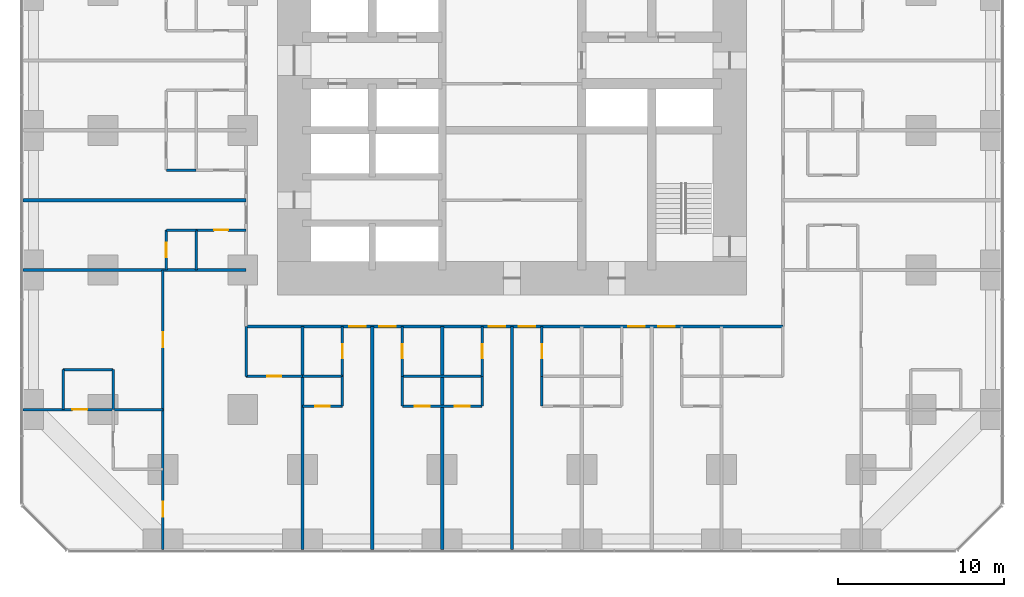
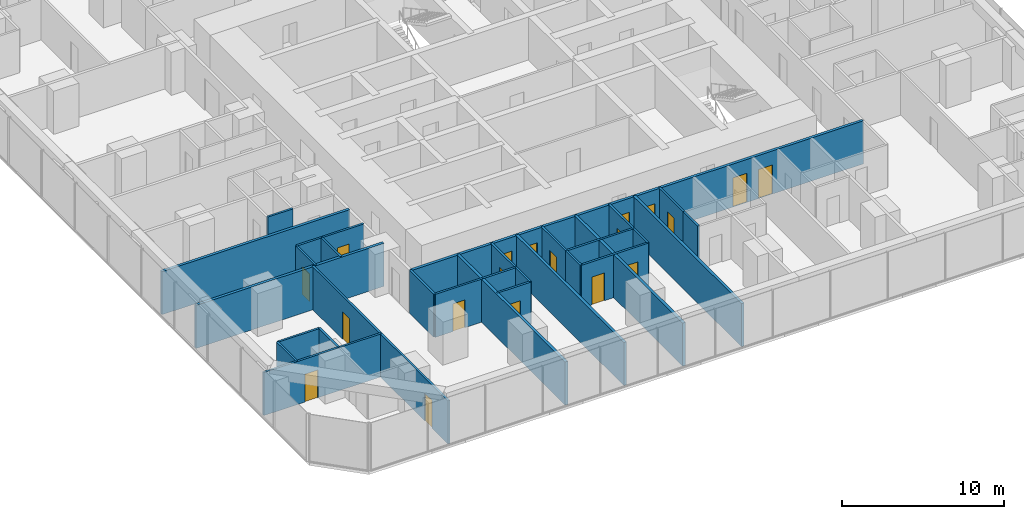
# One storey, part 11 of 18: 31 walls, 19 doors, 19 openings.
"""IFC4 building model written with IfcOpenShell, lengths in metres."""

from ifc_helpers import new_model, si_unit, direction, frame, frame_2d, origin, place, context, subcontext, project, spatial, rectangle, extrude, material, layer, layer_set, type_object, element, fill, save


model = new_model("IFC4")

# Units and contexts
model_context = context("Model", 3, precision=1e-05, world=origin(), true_north=direction((0.0, 1.0)))
body_context = subcontext(model_context, "Body", "Model", "MODEL_VIEW")
ifc_project = project(units=[si_unit("LENGTHUNIT", "METRE"), si_unit("AREAUNIT", "SQUARE_METRE"), si_unit("VOLUMEUNIT", "CUBIC_METRE"), si_unit("PLANEANGLEUNIT", "RADIAN"), si_unit("MASSUNIT", "GRAM", prefix="KILO")], contexts=[model_context])

# Site, building, storey
site_placement = place(None, origin())
site = spatial("IfcSite", under=ifc_project, at=site_placement, CompositionType="ELEMENT")
building_placement = place(site_placement, origin())
building = spatial("IfcBuilding", under=site, at=building_placement, Name="Dunama Terrace Hotel", CompositionType="ELEMENT")
storey_placement = place(building_placement, frame((0.0, 0.0, 27.0)))
storey = spatial("IfcBuildingStorey", under=building, at=storey_placement, Name="L05", CompositionType="ELEMENT", Elevation=27.0)

# Wall
ifc_material_1 = material(Name="Gypsum board partition", Category="masonry")
ifc_layer_1 = layer(ifc_material_1, 0.14990234375)
ifc_layer_set_1 = layer_set([ifc_layer_1], Name="Bathroom partition 150")
wall_type_1 = type_object("IfcWallType", Name="Bathroom partition 150", PredefinedType="PARTITIONING", material=ifc_layer_set_1)
wall_1_placement = place(storey_placement, frame((13.39990234375, 10.39990234375, 0.0), z_axis=(0.0, 0.0, 1.0), x_axis=(0.0, 1.0, 0.0)))
element("IfcWall", 1, at=wall_1_placement, inside=storey, type_object=wall_type_1, Name="Bathroom partition 150 L05", PredefinedType="PARTITIONING", context=body_context, shape_type="SweptSolid", body=[
    extrude(rectangle(XDim=3.0, YDim=0.14990234375, at=frame_2d((1.5, 0.0))), origin(), (0.0, 0.0, 1.0), 3.25),
])

# Wall, opening, door
wall_2_placement = place(storey_placement, frame((19.199951171875, 10.39990234375, 0.0), z_axis=(0.0, 0.0, 1.0), x_axis=(0.0, 1.0, 0.0)))
wall_2 = element("IfcWall", 2, at=wall_2_placement, inside=storey, type_object=wall_type_1, Name="Bathroom partition 150 L05", PredefinedType="PARTITIONING", context=body_context, shape_type="SweptSolid", body=[
    extrude(rectangle(XDim=3.0, YDim=0.14990234375, at=frame_2d((1.5, 0.0))), origin(), (0.0, 0.0, 1.0), 3.25),
])
opening_1_placement = place(wall_2_placement, frame((1.074951171875, 0.0, 0.0)))
opening_1 = element("IfcOpeningElement", 3, at=opening_1_placement, cuts=wall_2, Name="Opening L05-010", PredefinedType="OPENING", context=body_context, shape_type="SweptSolid", body=[
    extrude(rectangle(XDim=0.85009765625, YDim=2.10009765625, at=frame_2d((0.425048828125, 1.050048828125))), frame((0.0, 0.0849609375, 0.0), z_axis=(0.0, -1.0, 0.0), x_axis=(1.0, 0.0, 0.0)), (0.0, 0.0, 1.0), 0.169921875),
])
ifc_material_2 = material(Name="Timber door with steel frame", Category="steel")
door_type_1 = type_object("IfcDoorType", Name="Bathroom door 850", OperationType="SINGLE_SWING_LEFT", PredefinedType="DOOR", material=ifc_material_2)
door_1_placement = place(opening_1_placement, origin())
door_1 = element("IfcDoor", 4, at=door_1_placement, inside=storey, type_object=door_type_1, Name="Door to en-suite bathroom L05-010, type D2", OperationType="SINGLE_SWING_RIGHT", OverallHeight=2.10009765625, OverallWidth=0.85009765625, PredefinedType="DOOR", context=body_context, shape_type="SweptSolid", body=[
    extrude(rectangle(XDim=0.85009765625, YDim=2.10009765625, at=frame_2d((0.425048828125, 1.050048828125))), frame((0.0, 0.02490234375, 0.0), z_axis=(0.0, -1.0, 0.0), x_axis=(1.0, 0.0, 0.0)), (0.0, 0.0, 1.0), 0.050048828125),
])
fill(opening_1, door_1)

wall_3_placement = place(storey_placement, frame((22.800048828125, 10.39990234375, 0.0), z_axis=(0.0, 0.0, 1.0), x_axis=(0.0, 1.0, 0.0)))
wall_3 = element("IfcWall", 5, at=wall_3_placement, inside=storey, type_object=wall_type_1, Name="Bathroom partition 150 L05", PredefinedType="PARTITIONING", context=body_context, shape_type="SweptSolid", body=[
    extrude(rectangle(XDim=3.0, YDim=0.14990234375, at=frame_2d((1.5, 0.0))), origin(), (0.0, 0.0, 1.0), 3.25),
])
opening_2_placement = place(wall_3_placement, frame((1.074951171875, 0.0, 0.0)))
opening_2 = element("IfcOpeningElement", 6, at=opening_2_placement, cuts=wall_3, Name="Opening L05-013", PredefinedType="OPENING", context=body_context, shape_type="SweptSolid", body=[
    extrude(rectangle(XDim=0.85009765625, YDim=2.10009765625, at=frame_2d((0.425048828125, 1.050048828125))), frame((0.0, 0.0849609375, 0.0), z_axis=(0.0, -1.0, 0.0), x_axis=(1.0, 0.0, 0.0)), (0.0, 0.0, 1.0), 0.169921875),
])
door_2_placement = place(opening_2_placement, frame((0.85009765625, 0.0, 0.0), z_axis=(0.0, 0.0, 1.0), x_axis=(-1.0, 0.0, 0.0)))
door_2 = element("IfcDoor", 7, at=door_2_placement, inside=storey, type_object=door_type_1, Name="Door to en-suite bathroom L05-013, type D2", OperationType="SINGLE_SWING_LEFT", OverallHeight=2.10009765625, OverallWidth=0.85009765625, PredefinedType="DOOR", context=body_context, shape_type="SweptSolid", body=[
    extrude(rectangle(XDim=0.85009765625, YDim=2.10009765625, at=frame_2d((0.425048828125, 1.050048828125))), frame((0.0, 0.025146484375, 0.0), z_axis=(0.0, -1.0, 0.0), x_axis=(1.0, 0.0, 0.0)), (0.0, 0.0, 1.0), 0.050048828125),
])
fill(opening_2, door_2)

wall_4_placement = place(storey_placement, frame((27.60009765625, 10.39990234375, 0.0), z_axis=(0.0, 0.0, 1.0), x_axis=(0.0, 1.0, 0.0)))
wall_4 = element("IfcWall", 8, at=wall_4_placement, inside=storey, type_object=wall_type_1, Name="Bathroom partition 150 L05", PredefinedType="PARTITIONING", context=body_context, shape_type="SweptSolid", body=[
    extrude(rectangle(XDim=3.0, YDim=0.14990234375, at=frame_2d((1.5, 0.0))), origin(), (0.0, 0.0, 1.0), 3.25),
])
opening_3_placement = place(wall_4_placement, frame((1.074951171875, 0.0, 0.0)))
opening_3 = element("IfcOpeningElement", 9, at=opening_3_placement, cuts=wall_4, Name="Opening L05-016", PredefinedType="OPENING", context=body_context, shape_type="SweptSolid", body=[
    extrude(rectangle(XDim=0.85009765625, YDim=2.10009765625, at=frame_2d((0.425048828125, 1.050048828125))), frame((0.0, 0.0849609375, 0.0), z_axis=(0.0, -1.0, 0.0), x_axis=(1.0, 0.0, 0.0)), (0.0, 0.0, 1.0), 0.169921875),
])
door_3_placement = place(opening_3_placement, origin())
door_3 = element("IfcDoor", 10, at=door_3_placement, inside=storey, type_object=door_type_1, Name="Door to en-suite bathroom L05-016, type D2", OperationType="SINGLE_SWING_RIGHT", OverallHeight=2.10009765625, OverallWidth=0.85009765625, PredefinedType="DOOR", context=body_context, shape_type="SweptSolid", body=[
    extrude(rectangle(XDim=0.85009765625, YDim=2.10009765625, at=frame_2d((0.425048828125, 1.050048828125))), frame((0.0, 0.02490234375, 0.0), z_axis=(0.0, -1.0, 0.0), x_axis=(1.0, 0.0, 0.0)), (0.0, 0.0, 1.0), 0.050048828125),
])
fill(opening_3, door_3)

wall_5_placement = place(storey_placement, frame((31.199951171875, 10.39990234375, 0.0), z_axis=(0.0, 0.0, 1.0), x_axis=(0.0, 1.0, 0.0)))
wall_5 = element("IfcWall", 11, at=wall_5_placement, inside=storey, type_object=wall_type_1, Name="Bathroom partition 150 L05", PredefinedType="PARTITIONING", context=body_context, shape_type="SweptSolid", body=[
    extrude(rectangle(XDim=3.0, YDim=0.14990234375, at=frame_2d((1.5, 0.0))), origin(), (0.0, 0.0, 1.0), 3.25),
])
opening_4_placement = place(wall_5_placement, frame((1.074951171875, 0.0, 0.0)))
opening_4 = element("IfcOpeningElement", 12, at=opening_4_placement, cuts=wall_5, Name="Opening L05-019", PredefinedType="OPENING", context=body_context, shape_type="SweptSolid", body=[
    extrude(rectangle(XDim=0.85009765625, YDim=2.10009765625, at=frame_2d((0.425048828125, 1.050048828125))), frame((0.0, 0.0849609375, 0.0), z_axis=(0.0, -1.0, 0.0), x_axis=(1.0, 0.0, 0.0)), (0.0, 0.0, 1.0), 0.169921875),
])
door_4_placement = place(opening_4_placement, frame((0.85009765625, 0.0, 0.0), z_axis=(0.0, 0.0, 1.0), x_axis=(-1.0, 0.0, 0.0)))
door_4 = element("IfcDoor", 13, at=door_4_placement, inside=storey, type_object=door_type_1, Name="Door to en-suite bathroom L05-019, type D2", OperationType="SINGLE_SWING_LEFT", OverallHeight=2.10009765625, OverallWidth=0.85009765625, PredefinedType="DOOR", context=body_context, shape_type="SweptSolid", body=[
    extrude(rectangle(XDim=0.85009765625, YDim=2.10009765625, at=frame_2d((0.425048828125, 1.050048828125))), frame((0.0, 0.025146484375, 0.0), z_axis=(0.0, -1.0, 0.0), x_axis=(1.0, 0.0, 0.0)), (0.0, 0.0, 1.0), 0.050048828125),
])
fill(opening_4, door_4)

wall_6_placement = place(storey_placement, frame((13.39990234375, 10.39990234375, 0.0), z_axis=(0.0, 0.0, 1.0), x_axis=(1.0, 0.0, 0.0)))
wall_6 = element("IfcWall", 14, at=wall_6_placement, inside=storey, type_object=wall_type_1, Name="Bathroom partition 150 L05", PredefinedType="PARTITIONING", context=body_context, shape_type="SweptSolid", body=[
    extrude(rectangle(XDim=3.400146484375, YDim=0.14990234375, at=frame_2d((1.7001953125, 0.0))), origin(), (0.0, 0.0, 1.0), 3.25),
])
opening_5_placement = place(wall_6_placement, frame((1.27490234375, 0.0, 0.0)))
opening_5 = element("IfcOpeningElement", 15, at=opening_5_placement, cuts=wall_6, Name="Opening L05-075", PredefinedType="OPENING", context=body_context, shape_type="SweptSolid", body=[
    extrude(rectangle(XDim=0.85009765625, YDim=2.10009765625, at=frame_2d((0.425048828125, 1.050048828125))), frame((0.0, 0.0849609375, 0.0), z_axis=(0.0, -1.0, 0.0), x_axis=(1.0, 0.0, 0.0)), (0.0, 0.0, 1.0), 0.169921875),
])
door_5_placement = place(opening_5_placement, origin())
door_5 = element("IfcDoor", 16, at=door_5_placement, inside=storey, type_object=door_type_1, Name="Door to powder room L05-075, type D2", OperationType="SINGLE_SWING_RIGHT", OverallHeight=2.10009765625, OverallWidth=0.85009765625, PredefinedType="DOOR", context=body_context, shape_type="SweptSolid", body=[
    extrude(rectangle(XDim=0.85009765625, YDim=2.10009765625, at=frame_2d((0.425048828125, 1.050048828125))), frame((0.0, 0.02490234375, 0.0), z_axis=(0.0, -1.0, 0.0), x_axis=(1.0, 0.0, 0.0)), (0.0, 0.0, 1.0), 0.050048828125),
])
fill(opening_5, door_5)

wall_7_placement = place(storey_placement, frame((10.39990234375, 19.199951171875, 0.0), z_axis=(0.0, 0.0, 1.0), x_axis=(1.0, 0.0, 0.0)))
wall_7 = element("IfcWall", 17, at=wall_7_placement, inside=storey, type_object=wall_type_1, Name="Bathroom partition 150 L05", PredefinedType="PARTITIONING", context=body_context, shape_type="SweptSolid", body=[
    extrude(rectangle(XDim=3.0, YDim=0.14990234375, at=frame_2d((1.5, 0.0))), origin(), (0.0, 0.0, 1.0), 3.25),
])
opening_6_placement = place(wall_7_placement, frame((1.074951171875, 0.0, 0.0)))
opening_6 = element("IfcOpeningElement", 18, at=opening_6_placement, cuts=wall_7, Name="Opening L05-062", PredefinedType="OPENING", context=body_context, shape_type="SweptSolid", body=[
    extrude(rectangle(XDim=0.85009765625, YDim=2.10009765625, at=frame_2d((0.425048828125, 1.050048828125))), frame((0.0, 0.0849609375, 0.0), z_axis=(0.0, -1.0, 0.0), x_axis=(1.0, 0.0, 0.0)), (0.0, 0.0, 1.0), 0.169921875),
])
door_6_placement = place(opening_6_placement, frame((0.85009765625, 0.0, 0.0), z_axis=(0.0, 0.0, 1.0), x_axis=(-1.0, 0.0, 0.0)))
door_6 = element("IfcDoor", 19, at=door_6_placement, inside=storey, type_object=door_type_1, Name="Door to en-suite bathroom L05-062, type D2", OperationType="SINGLE_SWING_LEFT", OverallHeight=2.10009765625, OverallWidth=0.85009765625, PredefinedType="DOOR", context=body_context, shape_type="SweptSolid", body=[
    extrude(rectangle(XDim=0.85009765625, YDim=2.10009765625, at=frame_2d((0.425048828125, 1.050048828125))), frame((0.0, 0.025146484375, 0.0), z_axis=(0.0, -1.0, 0.0), x_axis=(1.0, 0.0, 0.0)), (0.0, 0.0, 1.0), 0.050048828125),
])
fill(opening_6, door_6)

# Wall, openings, doors
ifc_material_3 = material(Name="Concrete blockwork", Category="masonry")
ifc_layer_2 = layer(ifc_material_3, 0.199951171875)
ifc_layer_set_2 = layer_set([ifc_layer_2], Name="Corridor partition 200")
wall_type_2 = type_object("IfcWallType", Name="Corridor partition 200", PredefinedType="PARTITIONING", material=ifc_layer_set_2)
wall_8_placement = place(storey_placement, frame((45.699951171875, 13.39990234375, 0.0), z_axis=(0.0, 0.0, 1.0), x_axis=(-1.0, 0.0, 0.0)))
wall_8 = element("IfcWall", 20, at=wall_8_placement, inside=storey, type_object=wall_type_2, Name="Corridor partition 200 L05", PredefinedType="PARTITIONING", context=body_context, shape_type="SweptSolid", body=[
    extrude(rectangle(XDim=32.300048828125, YDim=0.199951171875, at=frame_2d((16.14990234375, 0.0))), origin(), (0.0, 0.0, 1.0), 3.25),
])
opening_7_placement = place(wall_8_placement, frame((25.10009765625, 0.0, 0.0)))
opening_7 = element("IfcOpeningElement", 21, at=opening_7_placement, cuts=wall_8, Name="Opening L05-009", PredefinedType="OPENING", context=body_context, shape_type="SweptSolid", body=[
    extrude(rectangle(XDim=1.0, YDim=2.199951171875, at=frame_2d((0.5, 1.10009765625))), frame((0.0, 0.10986328125, 0.0), z_axis=(0.0, -1.0, 0.0), x_axis=(1.0, 0.0, 0.0)), (0.0, 0.0, 1.0), 0.219970703125),
])
opening_8_placement = place(wall_8_placement, frame((23.300048828125, 0.0, 0.0)))
opening_8 = element("IfcOpeningElement", 22, at=opening_8_placement, cuts=wall_8, Name="Opening L05-012", PredefinedType="OPENING", context=body_context, shape_type="SweptSolid", body=[
    extrude(rectangle(XDim=1.0, YDim=2.199951171875, at=frame_2d((0.5, 1.10009765625))), frame((0.0, 0.10986328125, 0.0), z_axis=(0.0, -1.0, 0.0), x_axis=(1.0, 0.0, 0.0)), (0.0, 0.0, 1.0), 0.219970703125),
])
opening_9_placement = place(wall_8_placement, frame((16.699951171875, 0.0, 0.0)))
opening_9 = element("IfcOpeningElement", 23, at=opening_9_placement, cuts=wall_8, Name="Opening L05-015", PredefinedType="OPENING", context=body_context, shape_type="SweptSolid", body=[
    extrude(rectangle(XDim=1.0, YDim=2.199951171875, at=frame_2d((0.5, 1.10009765625))), frame((0.0, 0.10986328125, 0.0), z_axis=(0.0, -1.0, 0.0), x_axis=(1.0, 0.0, 0.0)), (0.0, 0.0, 1.0), 0.219970703125),
])
opening_10_placement = place(wall_8_placement, frame((14.89990234375, 0.0, 0.0)))
opening_10 = element("IfcOpeningElement", 24, at=opening_10_placement, cuts=wall_8, Name="Opening L05-018", PredefinedType="OPENING", context=body_context, shape_type="SweptSolid", body=[
    extrude(rectangle(XDim=1.0, YDim=2.199951171875, at=frame_2d((0.5, 1.10009765625))), frame((0.0, 0.10986328125, 0.0), z_axis=(0.0, -1.0, 0.0), x_axis=(1.0, 0.0, 0.0)), (0.0, 0.0, 1.0), 0.219970703125),
])
opening_11_placement = place(wall_8_placement, frame((8.300048828125, 0.0, 0.0)))
opening_11 = element("IfcOpeningElement", 25, at=opening_11_placement, cuts=wall_8, Name="Opening L05-021", PredefinedType="OPENING", context=body_context, shape_type="SweptSolid", body=[
    extrude(rectangle(XDim=1.0, YDim=2.199951171875, at=frame_2d((0.5, 1.10009765625))), frame((0.0, 0.10986328125, 0.0), z_axis=(0.0, -1.0, 0.0), x_axis=(1.0, 0.0, 0.0)), (0.0, 0.0, 1.0), 0.219970703125),
])
opening_12_placement = place(wall_8_placement, frame((6.5, 0.0, 0.0)))
opening_12 = element("IfcOpeningElement", 26, at=opening_12_placement, cuts=wall_8, Name="Opening L05-024", PredefinedType="OPENING", context=body_context, shape_type="SweptSolid", body=[
    extrude(rectangle(XDim=1.0, YDim=2.199951171875, at=frame_2d((0.5, 1.10009765625))), frame((0.0, 0.10986328125, 0.0), z_axis=(0.0, -1.0, 0.0), x_axis=(1.0, 0.0, 0.0)), (0.0, 0.0, 1.0), 0.219970703125),
])
ifc_material_4 = material(Name="Timber door with steel frame", Category="steel")
door_type_2 = type_object("IfcDoorType", Name="Guest room door 1000", OperationType="SINGLE_SWING_LEFT", PredefinedType="DOOR", material=ifc_material_4)
door_7_placement = place(opening_7_placement, origin())
door_7 = element("IfcDoor", 27, at=door_7_placement, inside=storey, type_object=door_type_2, Name="Door to deluxe room L05-009, type D1", OperationType="SINGLE_SWING_LEFT", OverallHeight=2.199951171875, OverallWidth=1.0, PredefinedType="DOOR", context=body_context, shape_type="SweptSolid", body=[
    extrude(rectangle(XDim=1.0, YDim=2.199951171875, at=frame_2d((0.5, 1.10009765625))), frame((0.0, 0.02490234375, 0.0), z_axis=(0.0, -1.0, 0.0), x_axis=(1.0, 0.0, 0.0)), (0.0, 0.0, 1.0), 0.050048828125),
])
fill(opening_7, door_7)
door_8_placement = place(opening_8_placement, origin())
door_8 = element("IfcDoor", 28, at=door_8_placement, inside=storey, type_object=door_type_2, Name="Door to deluxe room L05-012, type D1", OperationType="SINGLE_SWING_RIGHT", OverallHeight=2.199951171875, OverallWidth=1.0, PredefinedType="DOOR", context=body_context, shape_type="SweptSolid", body=[
    extrude(rectangle(XDim=1.0, YDim=2.199951171875, at=frame_2d((0.5, 1.10009765625))), frame((0.0, 0.02490234375, 0.0), z_axis=(0.0, -1.0, 0.0), x_axis=(1.0, 0.0, 0.0)), (0.0, 0.0, 1.0), 0.050048828125),
])
fill(opening_8, door_8)
door_9_placement = place(opening_9_placement, origin())
door_9 = element("IfcDoor", 29, at=door_9_placement, inside=storey, type_object=door_type_2, Name="Door to deluxe room L05-015, type D1", OperationType="SINGLE_SWING_LEFT", OverallHeight=2.199951171875, OverallWidth=1.0, PredefinedType="DOOR", context=body_context, shape_type="SweptSolid", body=[
    extrude(rectangle(XDim=1.0, YDim=2.199951171875, at=frame_2d((0.5, 1.10009765625))), frame((0.0, 0.02490234375, 0.0), z_axis=(0.0, -1.0, 0.0), x_axis=(1.0, 0.0, 0.0)), (0.0, 0.0, 1.0), 0.050048828125),
])
fill(opening_9, door_9)
door_10_placement = place(opening_10_placement, origin())
door_10 = element("IfcDoor", 30, at=door_10_placement, inside=storey, type_object=door_type_2, Name="Door to deluxe room L05-018, type D1", OperationType="SINGLE_SWING_RIGHT", OverallHeight=2.199951171875, OverallWidth=1.0, PredefinedType="DOOR", context=body_context, shape_type="SweptSolid", body=[
    extrude(rectangle(XDim=1.0, YDim=2.199951171875, at=frame_2d((0.5, 1.10009765625))), frame((0.0, 0.02490234375, 0.0), z_axis=(0.0, -1.0, 0.0), x_axis=(1.0, 0.0, 0.0)), (0.0, 0.0, 1.0), 0.050048828125),
])
fill(opening_10, door_10)
door_11_placement = place(opening_11_placement, origin())
door_11 = element("IfcDoor", 31, at=door_11_placement, inside=storey, type_object=door_type_2, Name="Door to deluxe room L05-021, type D1", OperationType="SINGLE_SWING_LEFT", OverallHeight=2.199951171875, OverallWidth=1.0, PredefinedType="DOOR", context=body_context, shape_type="SweptSolid", body=[
    extrude(rectangle(XDim=1.0, YDim=2.199951171875, at=frame_2d((0.5, 1.10009765625))), frame((0.0, 0.02490234375, 0.0), z_axis=(0.0, -1.0, 0.0), x_axis=(1.0, 0.0, 0.0)), (0.0, 0.0, 1.0), 0.050048828125),
])
fill(opening_11, door_11)
door_12_placement = place(opening_12_placement, origin())
door_12 = element("IfcDoor", 32, at=door_12_placement, inside=storey, type_object=door_type_2, Name="Door to deluxe room L05-024, type D1", OperationType="SINGLE_SWING_RIGHT", OverallHeight=2.199951171875, OverallWidth=1.0, PredefinedType="DOOR", context=body_context, shape_type="SweptSolid", body=[
    extrude(rectangle(XDim=1.0, YDim=2.199951171875, at=frame_2d((0.5, 1.10009765625))), frame((0.0, 0.02490234375, 0.0), z_axis=(0.0, -1.0, 0.0), x_axis=(1.0, 0.0, 0.0)), (0.0, 0.0, 1.0), 0.050048828125),
])
fill(opening_12, door_12)

# Walls
ifc_material_5 = material(Name="Concrete blockwork", Category="masonry")
ifc_layer_3 = layer(ifc_material_5, 0.199951171875)
ifc_layer_set_3 = layer_set([ifc_layer_3], Name="Party wall 200")
wall_type_3 = type_object("IfcWallType", Name="Party wall 200", PredefinedType="PARTITIONING", material=ifc_layer_set_3)
for number, where, z_axis, x_axis, name in (
    (33, (16.800048828125, -0.008056640625, 0.0), (0.0, 0.0, 1.0), (0.0, 1.0, 0.0), "Party wall 200 L05"),
    (34, (21.0, -0.008056640625, 0.0), (0.0, 0.0, 1.0), (0.0, 1.0, 0.0), "Party wall 200 L05"),
    (35, (25.199951171875, -0.008056640625, 0.0), (0.0, 0.0, 1.0), (0.0, 1.0, 0.0), "Party wall 200 L05"),
    (36, (29.39990234375, -0.008056640625, 0.0), (0.0, 0.0, 1.0), (0.0, 1.0, 0.0), "Party wall 200 L05"),
    (37, (-0.008056640625, 16.800048828125, 0.0), (0.0, 0.0, 1.0), (1.0, 0.0, 0.0), "Party wall 200 L05"),
    (38, (-0.008056640625, 21.0, 0.0), (0.0, 0.0, 1.0), (1.0, 0.0, 0.0), "Party wall 200 L05"),
):
    element("IfcWall", number, at=place(storey_placement, frame(where, z_axis=z_axis, x_axis=x_axis)), inside=storey, type_object=wall_type_3, Name=name, PredefinedType="PARTITIONING", context=body_context, shape_type="SweptSolid", body=[
        extrude(rectangle(XDim=13.407958984375, YDim=0.199951171875, at=frame_2d((6.7041015625, 0.0))), origin(), (0.0, 0.0, 1.0), 3.25),
    ])
ifc_material_6 = material(Name="Gypsum board partition", Category="masonry")
ifc_layer_4 = layer(ifc_material_6, 0.14990234375)
ifc_layer_set_4 = layer_set([ifc_layer_4], Name="Room partition 150")
wall_type_4 = type_object("IfcWallType", Name="Room partition 150", PredefinedType="PARTITIONING", material=ifc_layer_set_4)
for number, where, z_axis, x_axis, name in (
    (39, (2.39990234375, 8.39990234375, 0.0), (0.0, 0.0, 1.0), (0.0, 1.0, 0.0), "Room partition 150 L05"),
    (40, (5.39990234375, 8.39990234375, 0.0), (0.0, 0.0, 1.0), (0.0, 1.0, 0.0), "Room partition 150 L05"),
):
    element("IfcWall", number, at=place(storey_placement, frame(where, z_axis=z_axis, x_axis=x_axis)), inside=storey, type_object=wall_type_4, Name=name, PredefinedType="PARTITIONING", context=body_context, shape_type="SweptSolid", body=[
        extrude(rectangle(XDim=2.400146484375, YDim=0.14990234375, at=frame_2d((1.2001953125, 0.0))), origin(), (0.0, 0.0, 1.0), 3.25),
    ])

# Wall, openings, doors
wall_9_placement = place(storey_placement, frame((8.39990234375, -0.008056640625, 0.0), z_axis=(0.0, 0.0, 1.0), x_axis=(0.0, 1.0, 0.0)))
wall_9 = element("IfcWall", 41, at=wall_9_placement, inside=storey, type_object=wall_type_4, Name="Room partition 150 L05", PredefinedType="PARTITIONING", context=body_context, shape_type="SweptSolid", body=[
    extrude(rectangle(XDim=16.80810546875, YDim=0.14990234375, at=frame_2d((8.404052734375, 0.0))), origin(), (0.0, 0.0, 1.0), 3.25),
])
opening_13_placement = place(wall_9_placement, frame((1.9580078125, 0.0, 0.0)))
opening_13 = element("IfcOpeningElement", 42, at=opening_13_placement, cuts=wall_9, Name="Opening L05-076", PredefinedType="OPENING", context=body_context, shape_type="SweptSolid", body=[
    extrude(rectangle(XDim=0.89990234375, YDim=2.10009765625, at=frame_2d((0.449951171875, 1.050048828125))), frame((0.0, 0.0849609375, 0.0), z_axis=(0.0, -1.0, 0.0), x_axis=(1.0, 0.0, 0.0)), (0.0, 0.0, 1.0), 0.169921875),
])
opening_14_placement = place(wall_9_placement, frame((12.157958984375, 0.0, 0.0)))
opening_14 = element("IfcOpeningElement", 43, at=opening_14_placement, cuts=wall_9, Name="Opening L05-079", PredefinedType="OPENING", context=body_context, shape_type="SweptSolid", body=[
    extrude(rectangle(XDim=0.89990234375, YDim=2.10009765625, at=frame_2d((0.449951171875, 1.050048828125))), frame((0.0, 0.0849609375, 0.0), z_axis=(0.0, -1.0, 0.0), x_axis=(1.0, 0.0, 0.0)), (0.0, 0.0, 1.0), 0.169921875),
])
ifc_material_7 = material(Name="Timber door with steel frame", Category="steel")
door_type_3 = type_object("IfcDoorType", Name="Suite internal door 900", OperationType="SINGLE_SWING_LEFT", PredefinedType="DOOR", material=ifc_material_7)
door_13_placement = place(opening_13_placement, origin())
door_13 = element("IfcDoor", 44, at=door_13_placement, inside=storey, type_object=door_type_3, Name="Door to corner suite bedroom L05-076, type D16", OperationType="SINGLE_SWING_LEFT", OverallHeight=2.10009765625, OverallWidth=0.89990234375, PredefinedType="DOOR", context=body_context, shape_type="SweptSolid", body=[
    extrude(rectangle(XDim=0.89990234375, YDim=2.10009765625, at=frame_2d((0.449951171875, 1.050048828125))), frame((0.0, 0.02490234375, 0.0), z_axis=(0.0, -1.0, 0.0), x_axis=(1.0, 0.0, 0.0)), (0.0, 0.0, 1.0), 0.050048828125),
])
fill(opening_13, door_13)
door_14_placement = place(opening_14_placement, origin())
door_14 = element("IfcDoor", 45, at=door_14_placement, inside=storey, type_object=door_type_3, Name="Door to corner suite study L05-079, type D16", OperationType="SINGLE_SWING_LEFT", OverallHeight=2.10009765625, OverallWidth=0.89990234375, PredefinedType="DOOR", context=body_context, shape_type="SweptSolid", body=[
    extrude(rectangle(XDim=0.89990234375, YDim=2.10009765625, at=frame_2d((0.449951171875, 1.050048828125))), frame((0.0, 0.02490234375, 0.0), z_axis=(0.0, -1.0, 0.0), x_axis=(1.0, 0.0, 0.0)), (0.0, 0.0, 1.0), 0.050048828125),
])
fill(opening_14, door_14)

# Wall, opening, door
wall_10_placement = place(storey_placement, frame((8.60009765625, 16.800048828125, 0.0), z_axis=(0.0, 0.0, 1.0), x_axis=(0.0, 1.0, 0.0)))
wall_10 = element("IfcWall", 46, at=wall_10_placement, inside=storey, type_object=wall_type_4, Name="Room partition 150 L05", PredefinedType="PARTITIONING", context=body_context, shape_type="SweptSolid", body=[
    extrude(rectangle(XDim=2.39990234375, YDim=0.14990234375, at=frame_2d((1.199951171875, 0.0))), origin(), (0.0, 0.0, 1.0), 3.25),
])
opening_15_placement = place(wall_10_placement, frame((0.75, 0.0, 0.0)))
opening_15 = element("IfcOpeningElement", 47, at=opening_15_placement, cuts=wall_10, Name="Opening L05-063", PredefinedType="OPENING", context=body_context, shape_type="SweptSolid", body=[
    extrude(rectangle(XDim=0.89990234375, YDim=2.10009765625, at=frame_2d((0.449951171875, 1.050048828125))), frame((0.0, 0.0849609375, 0.0), z_axis=(0.0, -1.0, 0.0), x_axis=(1.0, 0.0, 0.0)), (0.0, 0.0, 1.0), 0.169921875),
])
door_15_placement = place(opening_15_placement, frame((0.89990234375, 0.0, 0.0), z_axis=(0.0, 0.0, 1.0), x_axis=(-1.0, 0.0, 0.0)))
door_15 = element("IfcDoor", 48, at=door_15_placement, inside=storey, type_object=door_type_3, Name="Door to walk-in wardrobe L05-063, type D16", OperationType="SINGLE_SWING_RIGHT", OverallHeight=2.10009765625, OverallWidth=0.89990234375, PredefinedType="DOOR", context=body_context, shape_type="SweptSolid", body=[
    extrude(rectangle(XDim=0.89990234375, YDim=2.10009765625, at=frame_2d((0.449951171875, 1.050048828125))), frame((0.0, 0.025146484375, 0.0), z_axis=(0.0, -1.0, 0.0), x_axis=(1.0, 0.0, 0.0)), (0.0, 0.0, 1.0), 0.050048828125),
])
fill(opening_15, door_15)

# Walls
wall_11_placement = place(storey_placement, frame((10.39990234375, 16.800048828125, 0.0), z_axis=(0.0, 0.0, 1.0), x_axis=(0.0, 1.0, 0.0)))
element("IfcWall", 49, at=wall_11_placement, inside=storey, type_object=wall_type_4, Name="Room partition 150 L05", PredefinedType="PARTITIONING", context=body_context, shape_type="SweptSolid", body=[
    extrude(rectangle(XDim=2.39990234375, YDim=0.14990234375, at=frame_2d((1.199951171875, 0.0))), origin(), (0.0, 0.0, 1.0), 3.25),
])
for number, where, z_axis, x_axis, name in (
    (50, (19.199951171875, 8.60009765625, 0.0), (0.0, 0.0, 1.0), (0.0, 1.0, 0.0), "Room partition 150 L05"),
    (51, (22.800048828125, 8.60009765625, 0.0), (0.0, 0.0, 1.0), (0.0, 1.0, 0.0), "Room partition 150 L05"),
    (52, (27.60009765625, 8.60009765625, 0.0), (0.0, 0.0, 1.0), (0.0, 1.0, 0.0), "Room partition 150 L05"),
    (53, (31.199951171875, 8.60009765625, 0.0), (0.0, 0.0, 1.0), (0.0, 1.0, 0.0), "Room partition 150 L05"),
):
    element("IfcWall", number, at=place(storey_placement, frame(where, z_axis=z_axis, x_axis=x_axis)), inside=storey, type_object=wall_type_4, Name=name, PredefinedType="PARTITIONING", context=body_context, shape_type="SweptSolid", body=[
        extrude(rectangle(XDim=1.7998046875, YDim=0.14990234375, at=frame_2d((0.89990234375, 0.0))), origin(), (0.0, 0.0, 1.0), 3.25),
    ])

# Wall, opening, door
wall_12_placement = place(storey_placement, frame((-0.008056640625, 8.39990234375, 0.0), z_axis=(0.0, 0.0, 1.0), x_axis=(1.0, 0.0, 0.0)))
wall_12 = element("IfcWall", 54, at=wall_12_placement, inside=storey, type_object=wall_type_4, Name="Room partition 150 L05", PredefinedType="PARTITIONING", context=body_context, shape_type="SweptSolid", body=[
    extrude(rectangle(XDim=8.407958984375, YDim=0.14990234375, at=frame_2d((4.2041015625, 0.0))), origin(), (0.0, 0.0, 1.0), 3.25),
])
opening_16_placement = place(wall_12_placement, frame((2.9580078125, 0.0, 0.0)))
opening_16 = element("IfcOpeningElement", 55, at=opening_16_placement, cuts=wall_12, Name="Opening L05-078", PredefinedType="OPENING", context=body_context, shape_type="SweptSolid", body=[
    extrude(rectangle(XDim=0.89990234375, YDim=2.10009765625, at=frame_2d((0.449951171875, 1.050048828125))), frame((0.0, 0.0849609375, 0.0), z_axis=(0.0, -1.0, 0.0), x_axis=(1.0, 0.0, 0.0)), (0.0, 0.0, 1.0), 0.169921875),
])
door_16_placement = place(opening_16_placement, origin())
door_16 = element("IfcDoor", 56, at=door_16_placement, inside=storey, type_object=door_type_3, Name="Door to dressing room L05-078, type D16", OperationType="SINGLE_SWING_RIGHT", OverallHeight=2.10009765625, OverallWidth=0.89990234375, PredefinedType="DOOR", context=body_context, shape_type="SweptSolid", body=[
    extrude(rectangle(XDim=0.89990234375, YDim=2.10009765625, at=frame_2d((0.449951171875, 1.050048828125))), frame((0.0, 0.02490234375, 0.0), z_axis=(0.0, -1.0, 0.0), x_axis=(1.0, 0.0, 0.0)), (0.0, 0.0, 1.0), 0.050048828125),
])
fill(opening_16, door_16)

wall_13_placement = place(storey_placement, frame((16.800048828125, 8.60009765625, 0.0), z_axis=(0.0, 0.0, 1.0), x_axis=(1.0, 0.0, 0.0)))
wall_13 = element("IfcWall", 57, at=wall_13_placement, inside=storey, type_object=wall_type_4, Name="Room partition 150 L05", PredefinedType="PARTITIONING", context=body_context, shape_type="SweptSolid", body=[
    extrude(rectangle(XDim=2.39990234375, YDim=0.14990234375, at=frame_2d((1.199951171875, 0.0))), origin(), (0.0, 0.0, 1.0), 3.25),
])
opening_17_placement = place(wall_13_placement, frame((0.75, 0.0, 0.0)))
opening_17 = element("IfcOpeningElement", 58, at=opening_17_placement, cuts=wall_13, Name="Opening L05-011", PredefinedType="OPENING", context=body_context, shape_type="SweptSolid", body=[
    extrude(rectangle(XDim=0.89990234375, YDim=2.10009765625, at=frame_2d((0.449951171875, 1.050048828125))), frame((0.0, 0.0849609375, 0.0), z_axis=(0.0, -1.0, 0.0), x_axis=(1.0, 0.0, 0.0)), (0.0, 0.0, 1.0), 0.169921875),
])
door_17_placement = place(opening_17_placement, origin())
door_17 = element("IfcDoor", 59, at=door_17_placement, inside=storey, type_object=door_type_3, Name="Door to walk-in wardrobe L05-011, type D16", OperationType="SINGLE_SWING_LEFT", OverallHeight=2.10009765625, OverallWidth=0.89990234375, PredefinedType="DOOR", context=body_context, shape_type="SweptSolid", body=[
    extrude(rectangle(XDim=0.89990234375, YDim=2.10009765625, at=frame_2d((0.449951171875, 1.050048828125))), frame((0.0, 0.02490234375, 0.0), z_axis=(0.0, -1.0, 0.0), x_axis=(1.0, 0.0, 0.0)), (0.0, 0.0, 1.0), 0.050048828125),
])
fill(opening_17, door_17)

# Wall, openings, doors
wall_14_placement = place(storey_placement, frame((22.800048828125, 8.60009765625, 0.0), z_axis=(0.0, 0.0, 1.0), x_axis=(1.0, 0.0, 0.0)))
wall_14 = element("IfcWall", 60, at=wall_14_placement, inside=storey, type_object=wall_type_4, Name="Room partition 150 L05", PredefinedType="PARTITIONING", context=body_context, shape_type="SweptSolid", body=[
    extrude(rectangle(XDim=4.800048828125, YDim=0.14990234375, at=frame_2d((2.39990234375, 0.0))), origin(), (0.0, 0.0, 1.0), 3.25),
])
opening_18_placement = place(wall_14_placement, frame((0.75, 0.0, 0.0)))
opening_18 = element("IfcOpeningElement", 61, at=opening_18_placement, cuts=wall_14, Name="Opening L05-014", PredefinedType="OPENING", context=body_context, shape_type="SweptSolid", body=[
    extrude(rectangle(XDim=0.89990234375, YDim=2.10009765625, at=frame_2d((0.449951171875, 1.050048828125))), frame((0.0, 0.0849609375, 0.0), z_axis=(0.0, -1.0, 0.0), x_axis=(1.0, 0.0, 0.0)), (0.0, 0.0, 1.0), 0.169921875),
])
opening_19_placement = place(wall_14_placement, frame((3.14990234375, 0.0, 0.0)))
opening_19 = element("IfcOpeningElement", 62, at=opening_19_placement, cuts=wall_14, Name="Opening L05-017", PredefinedType="OPENING", context=body_context, shape_type="SweptSolid", body=[
    extrude(rectangle(XDim=0.89990234375, YDim=2.10009765625, at=frame_2d((0.449951171875, 1.050048828125))), frame((0.0, 0.0849609375, 0.0), z_axis=(0.0, -1.0, 0.0), x_axis=(1.0, 0.0, 0.0)), (0.0, 0.0, 1.0), 0.169921875),
])
door_18_placement = place(opening_18_placement, origin())
door_18 = element("IfcDoor", 63, at=door_18_placement, inside=storey, type_object=door_type_3, Name="Door to walk-in wardrobe L05-014, type D16", OperationType="SINGLE_SWING_RIGHT", OverallHeight=2.10009765625, OverallWidth=0.89990234375, PredefinedType="DOOR", context=body_context, shape_type="SweptSolid", body=[
    extrude(rectangle(XDim=0.89990234375, YDim=2.10009765625, at=frame_2d((0.449951171875, 1.050048828125))), frame((0.0, 0.02490234375, 0.0), z_axis=(0.0, -1.0, 0.0), x_axis=(1.0, 0.0, 0.0)), (0.0, 0.0, 1.0), 0.050048828125),
])
fill(opening_18, door_18)
door_19_placement = place(opening_19_placement, origin())
door_19 = element("IfcDoor", 64, at=door_19_placement, inside=storey, type_object=door_type_3, Name="Door to walk-in wardrobe L05-017, type D16", OperationType="SINGLE_SWING_LEFT", OverallHeight=2.10009765625, OverallWidth=0.89990234375, PredefinedType="DOOR", context=body_context, shape_type="SweptSolid", body=[
    extrude(rectangle(XDim=0.89990234375, YDim=2.10009765625, at=frame_2d((0.449951171875, 1.050048828125))), frame((0.0, 0.02490234375, 0.0), z_axis=(0.0, -1.0, 0.0), x_axis=(1.0, 0.0, 0.0)), (0.0, 0.0, 1.0), 0.050048828125),
])
fill(opening_19, door_19)

# Walls
wall_15_placement = place(storey_placement, frame((16.800048828125, 10.39990234375, 0.0), z_axis=(0.0, 0.0, 1.0), x_axis=(1.0, 0.0, 0.0)))
element("IfcWall", 65, at=wall_15_placement, inside=storey, type_object=wall_type_4, Name="Room partition 150 L05", PredefinedType="PARTITIONING", context=body_context, shape_type="SweptSolid", body=[
    extrude(rectangle(XDim=2.39990234375, YDim=0.14990234375, at=frame_2d((1.199951171875, 0.0))), origin(), (0.0, 0.0, 1.0), 3.25),
])
wall_16_placement = place(storey_placement, frame((22.800048828125, 10.39990234375, 0.0), z_axis=(0.0, 0.0, 1.0), x_axis=(1.0, 0.0, 0.0)))
element("IfcWall", 66, at=wall_16_placement, inside=storey, type_object=wall_type_4, Name="Room partition 150 L05", PredefinedType="PARTITIONING", context=body_context, shape_type="SweptSolid", body=[
    extrude(rectangle(XDim=4.800048828125, YDim=0.14990234375, at=frame_2d((2.39990234375, 0.0))), origin(), (0.0, 0.0, 1.0), 3.25),
])
wall_17_placement = place(storey_placement, frame((2.39990234375, 10.800048828125, 0.0), z_axis=(0.0, 0.0, 1.0), x_axis=(1.0, 0.0, 0.0)))
element("IfcWall", 67, at=wall_17_placement, inside=storey, type_object=wall_type_4, Name="Room partition 150 L05", PredefinedType="PARTITIONING", context=body_context, shape_type="SweptSolid", body=[
    extrude(rectangle(XDim=3.0, YDim=0.14990234375, at=frame_2d((1.5, 0.0))), origin(), (0.0, 0.0, 1.0), 3.25),
])
for number, where, z_axis, x_axis, name in (
    (68, (8.60009765625, 19.199951171875, 0.0), (0.0, 0.0, 1.0), (1.0, 0.0, 0.0), "Room partition 150 L05"),
    (69, (8.60009765625, 22.800048828125, 0.0), (0.0, 0.0, 1.0), (1.0, 0.0, 0.0), "Room partition 150 L05"),
):
    element("IfcWall", number, at=place(storey_placement, frame(where, z_axis=z_axis, x_axis=x_axis)), inside=storey, type_object=wall_type_4, Name=name, PredefinedType="PARTITIONING", context=body_context, shape_type="SweptSolid", body=[
        extrude(rectangle(XDim=1.7998046875, YDim=0.14990234375, at=frame_2d((0.89990234375, 0.0))), origin(), (0.0, 0.0, 1.0), 3.25),
    ])

save(model, "model.ifc")
